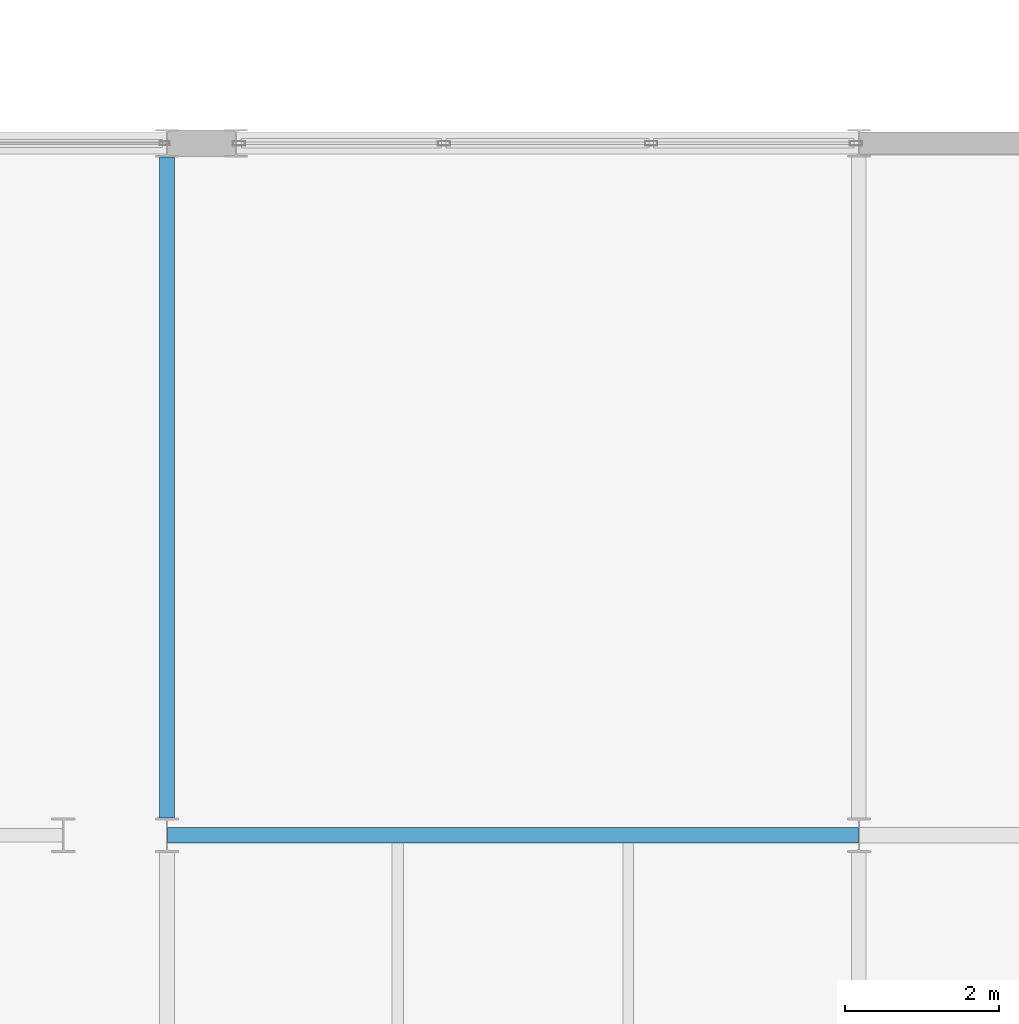
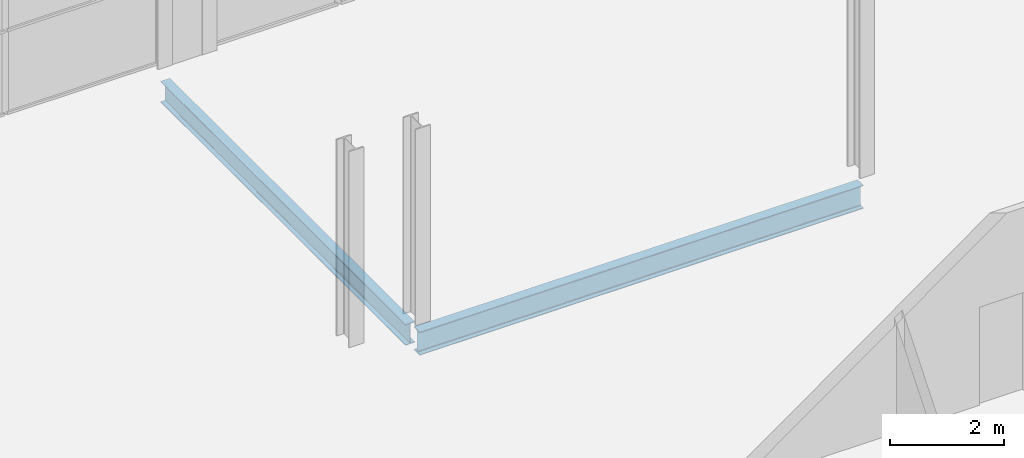
# One storey, part 66 of 103: 2 beams.
"""IFC4 building model written with IfcOpenShell, lengths in metres."""

import ifcopenshell
import ifcopenshell.guid

model = None  # the IFC model being written
_history = None  # IfcOwnerHistory: only IFC2X3 demands one
_inside = {}  # id of a spatial element -> (the spatial element, [elements in it])
_under = {}  # id of a project, library or spatial element -> (it, [spatial elements below it])
_declared = {}  # id of a project -> (the project, [libraries it declares])
_typed = {}  # id of a type object -> (the type object, [elements of that type])
_made_of = {}  # id of a material, layer set ... -> (it, [elements and type objects made of it])


def new_model(schema):
    """Start an empty IFC model of exactly this schema.

    Asked for "IFC4X3", IfcOpenShell would pick the latest addendum, in which some entities
    have other attributes; the version numbers below select the first issue.
    IFC2X3 requires an IfcOwnerHistory on every rooted entity: one is made here for all.
    """
    global model, _history
    if schema == "IFC4X3":
        model = ifcopenshell.file(schema_version=(4, 3, 0, 0))
    else:
        model = ifcopenshell.file(schema=schema)
    _inside.clear()
    _under.clear()
    _declared.clear()
    _typed.clear()
    _made_of.clear()
    _history = None
    if model.schema == "IFC2X3":
        org = make("IfcOrganization", Name="unknown")
        user = make(
            "IfcPersonAndOrganization",
            ThePerson=make("IfcPerson", FamilyName="unknown"),
            TheOrganization=org,
        )
        app = make(
            "IfcApplication",
            ApplicationDeveloper=org,
            Version="unknown",
            ApplicationFullName="unknown",
            ApplicationIdentifier="unknown",
        )
        _history = make(
            "IfcOwnerHistory",
            OwningUser=user,
            OwningApplication=app,
            ChangeAction="ADDED",
            CreationDate=0,
        )
    return model


def make(cls, **values):
    """One entity of the class cls with the attributes given. An attribute that is None is left unset."""
    return model.create_entity(
        cls, **{name: value for name, value in values.items() if value is not None}
    )


def rooted(cls, **values):
    """An entity with a GlobalId (a new one), such as an element, a storey or a relation."""
    return make(cls, GlobalId=ifcopenshell.guid.new(), OwnerHistory=_history, **values)


def si_unit(unit_type, name, prefix=None):
    """IfcSIUnit, for example si_unit("LENGTHUNIT", "METRE", prefix="MILLI")."""
    return make("IfcSIUnit", UnitType=unit_type, Prefix=prefix, Name=name)


def assignment(units):
    """IfcUnitAssignment: the units of a project."""
    return None if units is None else make("IfcUnitAssignment", Units=units)


def point(xyz):
    """IfcCartesianPoint."""
    return None if xyz is None else make("IfcCartesianPoint", Coordinates=xyz)


def direction(xyz):
    """IfcDirection."""
    return None if xyz is None else make("IfcDirection", DirectionRatios=xyz)


def frame(location, z_axis=None, x_axis=None):
    """IfcAxis2Placement3D, a coordinate frame: its origin and axes. An axis left out is left unset."""
    return make(
        "IfcAxis2Placement3D",
        Location=point(location),
        Axis=direction(z_axis),
        RefDirection=direction(x_axis),
    )


def frame_2d(location, x_axis=None):
    """IfcAxis2Placement2D, a coordinate frame in the plane: its origin and x axis."""
    return make(
        "IfcAxis2Placement2D", Location=point(location), RefDirection=direction(x_axis)
    )


def origin():
    """The frame at (0, 0, 0) with its axes left unset."""
    return frame((0.0, 0.0, 0.0))


def origin_2d():
    """The frame at (0, 0) in the plane with its x axis left unset."""
    return frame_2d((0.0, 0.0))


def place(relative_to, where):
    """IfcLocalPlacement: puts the frame where relative to a parent placement (None: the world)."""
    return make(
        "IfcLocalPlacement", PlacementRelTo=relative_to, RelativePlacement=where
    )


def context(
    kind, dimensions, precision=None, world=None, true_north=None, identifier=None
):
    """IfcGeometricRepresentationContext, for example the 3D "Model" context."""
    return make(
        "IfcGeometricRepresentationContext",
        ContextIdentifier=identifier,
        ContextType=kind,
        CoordinateSpaceDimension=dimensions,
        Precision=precision,
        WorldCoordinateSystem=world,
        TrueNorth=true_north,
    )


def subcontext(parent, identifier, kind, view, scale=None):
    """IfcGeometricRepresentationSubContext, for example "Body" below "Model"."""
    return make(
        "IfcGeometricRepresentationSubContext",
        ContextIdentifier=identifier,
        ContextType=kind,
        ParentContext=parent,
        TargetScale=scale,
        TargetView=view,
    )


def project(units=None, contexts=None):
    """IfcProject with its units and contexts."""
    return rooted(
        "IfcProject",
        Name="project",
        RepresentationContexts=contexts,
        UnitsInContext=assignment(units),
    )


def spatial(cls, under=None, at=None, **own):
    """A site, building, storey or space (cls), placed at a placement, below another one or the project."""
    s = rooted(cls, ObjectPlacement=at, **own)
    if under is not None:
        _under.setdefault(under.id(), (under, []))[1].append(s)
    return s


def profile(cls, at=None, kind="AREA", **sizes):
    """A parametric profile (cls). Its sizes go by their IFC names, for example OverallWidth=200.0."""
    return make(cls, ProfileType=kind, Position=at, **sizes)


def i_section(**sizes):
    """IfcIShapeProfileDef."""
    return profile("IfcIShapeProfileDef", **sizes)


def extrude(swept, where, along, depth):
    """IfcExtrudedAreaSolid: the profile swept, set in the frame where, extruded along a direction by depth."""
    return make(
        "IfcExtrudedAreaSolid",
        SweptArea=swept,
        Position=where,
        ExtrudedDirection=direction(along),
        Depth=depth,
    )


def shape(context_of_items, identifier, shape_type, items):
    """IfcShapeRepresentation: the items that make up one representation, for example the "Body"."""
    return make(
        "IfcShapeRepresentation",
        ContextOfItems=context_of_items,
        RepresentationIdentifier=identifier,
        RepresentationType=shape_type,
        Items=items,
    )


def material(Name=None, Category=None):
    """IfcMaterial."""
    return make("IfcMaterial", Name=Name, Category=Category)


def material_profile(
    of_material, cross_section, Name=None, Category=None, Priority=None
):
    """IfcMaterialProfile: a cross section and its material."""
    return make(
        "IfcMaterialProfile",
        Name=Name,
        Material=of_material,
        Profile=cross_section,
        Priority=Priority,
        Category=Category,
    )


def profile_set(profiles, Name=None, composite=None):
    """IfcMaterialProfileSet."""
    return make(
        "IfcMaterialProfileSet",
        Name=Name,
        MaterialProfiles=profiles,
        CompositeProfile=composite,
    )


def made_of(thing, what):
    """Note that an element or type object is made of a material, layer set ...; save() writes the relation."""
    if what is not None:
        _made_of.setdefault(what.id(), (what, []))[1].append(thing)
    return thing


def type_object(cls, material=None, **own):
    """A type object (cls), such as IfcWallType, which elements share."""
    return made_of(rooted(cls, **own), material)


def element(
    cls,
    number,
    at=None,
    inside=None,
    cuts=None,
    type_object=None,
    material=None,
    context=None,
    identifier="Body",
    shape_type=None,
    held_by="IfcProductDefinitionShape",
    body=None,
    shapes=None,
    **own,
):
    """One element of the class cls, such as IfcWall. Its Tag is "e" and its number.

    at: its placement. inside: the storey or other place that contains it. cuts: it is an
    opening in that element (IfcRelVoidsElement). A single representation is given by context,
    identifier, shape_type and body (its items); several are given by shapes. held_by: the class
    of the entity that holds the representations. save() writes the other relations.
    """
    e = rooted(cls, Tag="e%d" % number, ObjectPlacement=at, **own)
    if body is not None:
        shapes = [shape(context, identifier, shape_type, body)]
    if shapes is not None:
        e.Representation = make(held_by, Representations=shapes)
    if inside is not None:
        _inside.setdefault(inside.id(), (inside, []))[1].append(e)
    if cuts is not None:
        rooted(
            "IfcRelVoidsElement", RelatingBuildingElement=cuts, RelatedOpeningElement=e
        )
    if type_object is not None:
        _typed.setdefault(type_object.id(), (type_object, []))[1].append(e)
    return made_of(e, material)


def aggregate(whole, parts):
    """IfcRelAggregates: a whole, such as a stair, and the parts it consists of."""
    return rooted("IfcRelAggregates", RelatingObject=whole, RelatedObjects=parts)


def save(model, path):
    """Write the relations noted so far, then the file.

    IfcRelAggregates (storeys below a building ...), IfcRelContainedInSpatialStructure (elements
    in a storey), IfcRelDefinesByType, IfcRelAssociatesMaterial and IfcRelDeclares: one each for
    every whole, place, type object, material and project.
    """
    for whole, parts in _under.values():
        aggregate(whole, parts)
    for where, things in _inside.values():
        rooted(
            "IfcRelContainedInSpatialStructure",
            RelatedElements=things,
            RelatingStructure=where,
        )
    for kind, things in _typed.values():
        rooted("IfcRelDefinesByType", RelatedObjects=things, RelatingType=kind)
    for what, things in _made_of.values():
        rooted("IfcRelAssociatesMaterial", RelatedObjects=things, RelatingMaterial=what)
    for by, libraries in _declared.values():
        rooted("IfcRelDeclares", RelatingContext=by, RelatedDefinitions=libraries)
    model.write(path)


model = new_model("IFC4")

# Units and contexts
model_context = context("Model", 3, precision=1e-05, world=origin(), true_north=direction((0.0, 1.0)))
body_context = subcontext(model_context, "Body", "Model", "MODEL_VIEW")
ifc_project = project(units=[si_unit("LENGTHUNIT", "METRE"), si_unit("AREAUNIT", "SQUARE_METRE"), si_unit("VOLUMEUNIT", "CUBIC_METRE"), si_unit("PLANEANGLEUNIT", "RADIAN"), si_unit("MASSUNIT", "GRAM", prefix="KILO")], contexts=[model_context])

# Site, building, storey
site_placement = place(None, origin())
site = spatial("IfcSite", under=ifc_project, at=site_placement, CompositionType="ELEMENT")
building_placement = place(site_placement, origin())
building = spatial("IfcBuilding", under=site, at=building_placement, Name="Deido Ridge Mobility Hub", CompositionType="ELEMENT")
storey_placement = place(building_placement, frame((0.0, 0.0, 12.60009765625)))
storey = spatial("IfcBuildingStorey", under=building, at=storey_placement, Name="L03", CompositionType="ELEMENT", Elevation=12.60009765625)

# Beams
ifc_material = material(Name="Steel S355J2 EN 10025-2", Category="steel")
ifc_material_profile_1 = material_profile(ifc_material, i_section(OverallWidth=0.18994140625, OverallDepth=0.449951171875, WebThickness=0.009521484375, FlangeThickness=0.0146484375, FilletRadius=0.02099609375, at=origin_2d()), Name="IPE 450")
ifc_profile_set_1 = profile_set([ifc_material_profile_1], Name="Steel S355J2 EN 10025-2")
beam_type_1 = type_object("IfcBeamType", Name="BM-IPE450", PredefinedType="BEAM", material=ifc_profile_set_1)
beam_1_placement = place(storey_placement, frame((153.0, 63.22509765625, -0.489990234375), z_axis=(0.0, 1.0, 0.0), x_axis=(-1.0, 0.0, 0.0)))
element("IfcBeam", 1, at=beam_1_placement, inside=storey, type_object=beam_type_1, Name="Floor beam B4", PredefinedType="BEAM", context=body_context, shape_type="SweptSolid", body=[
    extrude(i_section(OverallWidth=0.18994140625, OverallDepth=0.449951171875, WebThickness=0.009521484375, FlangeThickness=0.0146484375, FilletRadius=0.02099609375, at=origin_2d()), origin(), (0.0, 0.0, 1.0), 8.594970703125),
])
ifc_material_profile_2 = material_profile(ifc_material, i_section(OverallWidth=0.199951171875, OverallDepth=0.5, WebThickness=0.01025390625, FlangeThickness=0.01611328125, FilletRadius=0.02099609375, at=origin_2d()), Name="IPE 500")
ifc_profile_set_2 = profile_set([ifc_material_profile_2], Name="Steel S355J2 EN 10025-2")
beam_type_2 = type_object("IfcBeamType", Name="BM-IPE500", PredefinedType="BEAM", material=ifc_profile_set_2)
beam_2_placement = place(storey_placement, frame((153.007080078125, 63.0, -0.51513671875), z_axis=(1.0, 0.0, 0.0), x_axis=(0.0, 1.0, 0.0)))
element("IfcBeam", 2, at=beam_2_placement, inside=storey, type_object=beam_type_2, Name="Floor beam B3", PredefinedType="BEAM", context=body_context, shape_type="SweptSolid", body=[
    extrude(i_section(OverallWidth=0.199951171875, OverallDepth=0.5, WebThickness=0.01025390625, FlangeThickness=0.01611328125, FilletRadius=0.02099609375, at=origin_2d()), origin(), (0.0, 0.0, 1.0), 8.98583984375),
])

save(model, "model.ifc")
